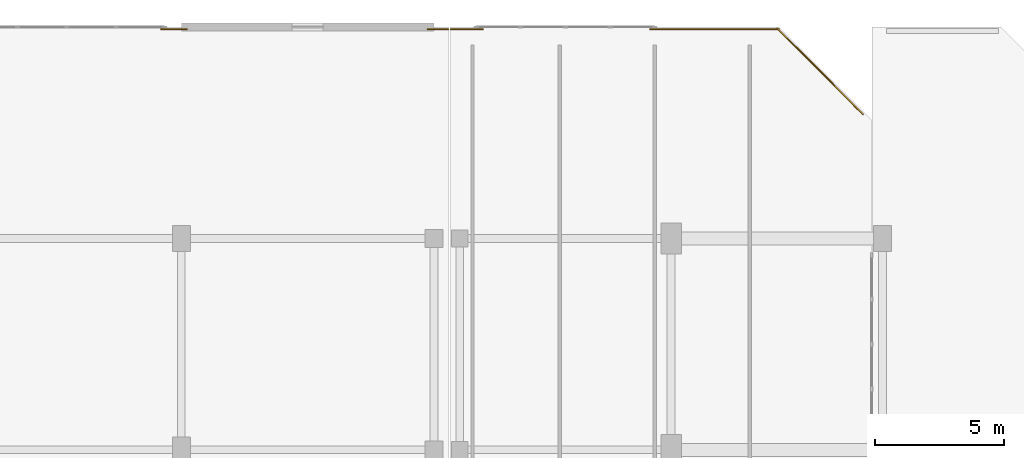
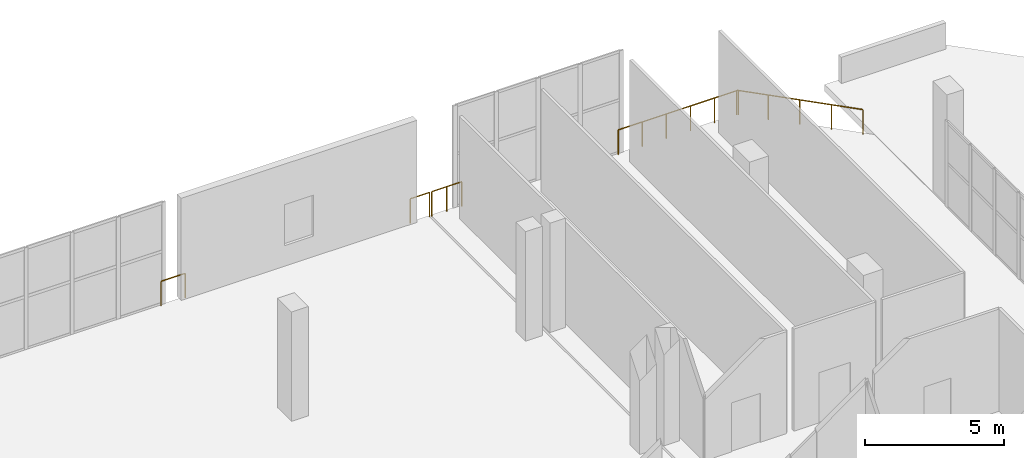
# One storey, part 142 of 142: 5 railings.
"""IFC4 building model written with IfcOpenShell, lengths in metres."""

from ifc_helpers import new_model, si_unit, direction, frame, origin, origin_2d, place, context, subcontext, project, spatial, circle, extrude, material, type_object, element, save


model = new_model("IFC4")

# Units and contexts
model_context = context("Model", 3, precision=1e-05, world=origin(), true_north=direction((0.0, 1.0)))
body_context = subcontext(model_context, "Body", "Model", "MODEL_VIEW")
ifc_project = project(units=[si_unit("LENGTHUNIT", "METRE"), si_unit("AREAUNIT", "SQUARE_METRE"), si_unit("VOLUMEUNIT", "CUBIC_METRE"), si_unit("PLANEANGLEUNIT", "RADIAN"), si_unit("MASSUNIT", "GRAM", prefix="KILO")], contexts=[model_context])

# Site, building, storey
site_placement = place(None, origin())
site = spatial("IfcSite", under=ifc_project, at=site_placement, CompositionType="ELEMENT")
building_placement = place(site_placement, origin())
building = spatial("IfcBuilding", under=site, at=building_placement, Name="Koshinbarg Plaza Stadium", CompositionType="ELEMENT")
storey_placement = place(building_placement, frame((0.0, 0.0, 10.199951171875)))
storey = spatial("IfcBuildingStorey", under=building, at=storey_placement, Name="L02", CompositionType="ELEMENT", Elevation=10.199951171875)

# Railings
ifc_material = material(Name="Toughened laminated glass and stainless steel sightline balustrade", Category="steel")
railing_type = type_object("IfcRailingType", Name="RL-BOWL-1100", PredefinedType="BALUSTRADE", material=ifc_material)
railing_1_placement = place(storey_placement, frame((207.8154296875, 151.919921875, 0.0)))
element("IfcRailing", 1, at=railing_1_placement, inside=storey, type_object=railing_type, Name="L02 deck edge safety balustrade 0171", PredefinedType="BALUSTRADE", context=body_context, shape_type="SweptSolid", body=[
    extrude(circle(Radius=0.02392578125, at=origin_2d()), frame((0.0, 0.0, 1.076171875), z_axis=(1.0, 0.0, 0.0), x_axis=(0.0, 1.0, 0.0)), (0.0, 0.0, 1.0), 0.999267578125),
    extrude(circle(Radius=0.02099609375, at=origin_2d()), origin(), (0.0, 0.0, 1.0), 1.052001953125),
    extrude(circle(Radius=0.02099609375, at=origin_2d()), frame((0.999267578125, 0.0, 0.0)), (0.0, 0.0, 1.0), 1.052001953125),
])
railing_2_placement = place(storey_placement, frame((218.155517578125, 151.919921875, 0.0)))
element("IfcRailing", 2, at=railing_2_placement, inside=storey, type_object=railing_type, Name="L02 deck edge safety balustrade 0172", PredefinedType="BALUSTRADE", context=body_context, shape_type="SweptSolid", body=[
    extrude(circle(Radius=0.02392578125, at=origin_2d()), frame((0.0, 0.0, 1.076171875), z_axis=(1.0, 0.0, 0.0), x_axis=(0.0, 1.0, 0.0)), (0.0, 0.0, 1.0), 0.799560546875),
    extrude(circle(Radius=0.02099609375, at=origin_2d()), origin(), (0.0, 0.0, 1.0), 1.052001953125),
    extrude(circle(Radius=0.02099609375, at=origin_2d()), frame((0.799560546875, 0.0, 0.0)), (0.0, 0.0, 1.0), 1.052001953125),
])
railing_3_placement = place(storey_placement, frame((219.044921875, 151.919921875, 0.0)))
element("IfcRailing", 3, at=railing_3_placement, inside=storey, type_object=railing_type, Name="L02 deck edge safety balustrade 0173", PredefinedType="BALUSTRADE", context=body_context, shape_type="SweptSolid", body=[
    extrude(circle(Radius=0.02392578125, at=origin_2d()), frame((0.0, 0.0, 1.076171875), z_axis=(1.0, 0.0, 0.0), x_axis=(0.0, 1.0, 0.0)), (0.0, 0.0, 1.0), 1.248779296875),
    extrude(circle(Radius=0.02099609375, at=origin_2d()), origin(), (0.0, 0.0, 1.0), 1.052001953125),
    extrude(circle(Radius=0.02099609375, at=origin_2d()), frame((0.62451171875, 0.0, 0.0)), (0.0, 0.0, 1.0), 1.052001953125),
    extrude(circle(Radius=0.02099609375, at=origin_2d()), frame((1.248779296875, 0.0, 0.0)), (0.0, 0.0, 1.0), 1.052001953125),
])
railing_4_placement = place(storey_placement, frame((226.78564453125, 151.919921875, 0.0)))
element("IfcRailing", 4, at=railing_4_placement, inside=storey, type_object=railing_type, Name="L02 deck edge safety balustrade 0174", PredefinedType="BALUSTRADE", context=body_context, shape_type="SweptSolid", body=[
    extrude(circle(Radius=0.02392578125, at=origin_2d()), frame((0.0, 0.0, 1.076171875), z_axis=(1.0, 0.0, 0.0), x_axis=(0.0, 1.0, 0.0)), (0.0, 0.0, 1.0), 4.994384765625),
    extrude(circle(Radius=0.02099609375, at=origin_2d()), origin(), (0.0, 0.0, 1.0), 1.052001953125),
    extrude(circle(Radius=0.02099609375, at=origin_2d()), frame((0.998779296875, 0.0, 0.0)), (0.0, 0.0, 1.0), 1.052001953125),
    extrude(circle(Radius=0.02099609375, at=origin_2d()), frame((1.997802734375, 0.0, 0.0)), (0.0, 0.0, 1.0), 1.052001953125),
    extrude(circle(Radius=0.02099609375, at=origin_2d()), frame((2.99658203125, 0.0, 0.0)), (0.0, 0.0, 1.0), 1.052001953125),
    extrude(circle(Radius=0.02099609375, at=origin_2d()), frame((3.99560546875, 0.0, 0.0)), (0.0, 0.0, 1.0), 1.052001953125),
    extrude(circle(Radius=0.02099609375, at=origin_2d()), frame((4.994384765625, 0.0, 0.0)), (0.0, 0.0, 1.0), 1.052001953125),
])
railing_5_placement = place(storey_placement, frame((231.723388671875, 151.943359375, 0.0)))
element("IfcRailing", 5, at=railing_5_placement, inside=storey, type_object=railing_type, Name="L02 deck edge safety balustrade 0175", PredefinedType="BALUSTRADE", context=body_context, shape_type="SweptSolid", body=[
    extrude(circle(Radius=0.02392578125, at=origin_2d()), frame((0.0, 0.0, 1.076171875), z_axis=(0.707132806943, -0.707080754473, 0.0), x_axis=(0.707080754473, 0.707132806943, 0.0)), (0.0, 0.0, 1.0), 4.690185546875),
    extrude(circle(Radius=0.02099609375, at=origin_2d()), origin(), (0.0, 0.0, 1.0), 1.052001953125),
    extrude(circle(Radius=0.02099609375, at=origin_2d()), frame((0.8291015625, -0.8291015625, 0.0)), (0.0, 0.0, 1.0), 1.052001953125),
    extrude(circle(Radius=0.02099609375, at=origin_2d()), frame((1.658203125, -1.658203125, 0.0)), (0.0, 0.0, 1.0), 1.052001953125),
    extrude(circle(Radius=0.02099609375, at=origin_2d()), frame((2.487548828125, -2.4873046875, 0.0)), (0.0, 0.0, 1.0), 1.052001953125),
    extrude(circle(Radius=0.02099609375, at=origin_2d()), frame((3.316650390625, -3.31640625, 0.0)), (0.0, 0.0, 1.0), 1.052001953125),
])

save(model, "model.ifc")
